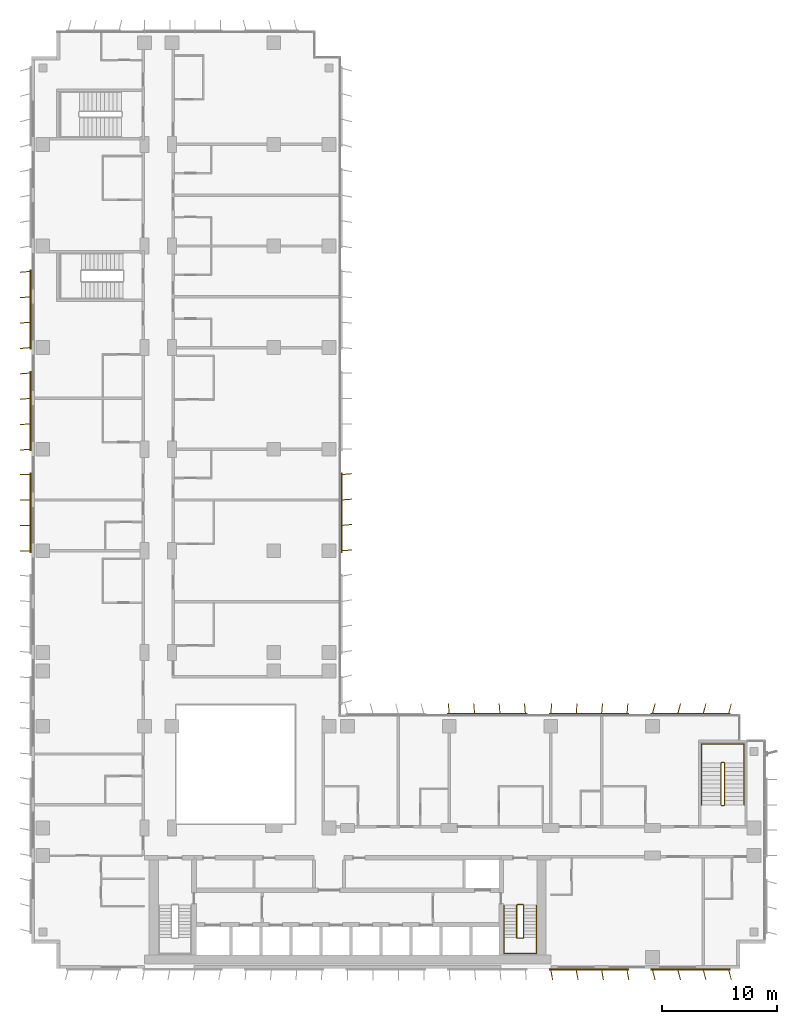
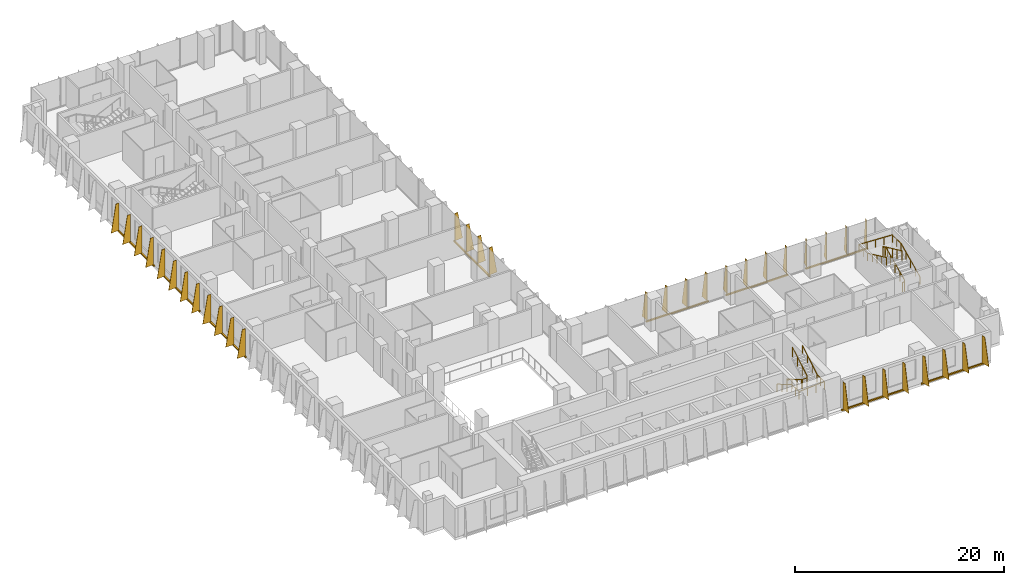
# One storey, part 20 of 22: 9 shading devices, 4 railings.
"""IFC4 building model written with IfcOpenShell, lengths in metres."""

from ifc_helpers import new_model, si_unit, direction, frame, origin, origin_2d, place, context, subcontext, project, spatial, polyline, rectangle, circle, outline, extrude, source, transform, mapped, material, layer, layer_set, type_object, element, save


model = new_model("IFC4")

# Units and contexts
model_context = context("Model", 3, precision=1e-05, world=origin(), true_north=direction((0.0, 1.0)))
body_context = subcontext(model_context, "Body", "Model", "MODEL_VIEW")
ifc_project = project(units=[si_unit("LENGTHUNIT", "METRE"), si_unit("AREAUNIT", "SQUARE_METRE"), si_unit("VOLUMEUNIT", "CUBIC_METRE"), si_unit("PLANEANGLEUNIT", "RADIAN"), si_unit("MASSUNIT", "GRAM", prefix="KILO")], contexts=[model_context])

# Site, building, storey
site_placement = place(None, origin())
site = spatial("IfcSite", under=ifc_project, at=site_placement, CompositionType="ELEMENT")
building_placement = place(site_placement, origin())
building = spatial("IfcBuilding", under=site, at=building_placement, Name="Kemantara Hotel Tower", CompositionType="ELEMENT")
storey_placement = place(building_placement, frame((0.0, 0.0, 94.5)))
storey = spatial("IfcBuildingStorey", under=building, at=storey_placement, Name="L22", CompositionType="ELEMENT", Elevation=94.5)

# Railings
ifc_material_1 = material(Name="Stainless steel balustrade", Category="steel")
railing_type_1 = type_object("IfcRailingType", Name="Stair guard 1100 mm", PredefinedType="GUARDRAIL", material=ifc_material_1)
railing_1_placement = place(storey_placement, frame((42.64990234375, 5.5, 3.699951171875)))
element("IfcRailing", 1, at=railing_1_placement, inside=storey, type_object=railing_type_1, Name="L22 ST2 stair guard 1", PredefinedType="GUARDRAIL", context=body_context, shape_type="SweptSolid", body=[
    extrude(circle(Radius=0.02392578125, at=origin_2d()), frame((0.0, 0.0, 1.076171875), z_axis=(0.0, -0.857242210791, -0.514913383045), x_axis=(1.0, 0.0, 0.0)), (0.0, 0.0, 1.0), 3.266357421875),
    extrude(circle(Radius=0.02392578125, at=origin_2d()), frame((0.0, -2.800048828125, -0.60595703125), z_axis=(-0.273343290215, -0.274683208305, -0.921863645432), x_axis=(0.708833529934, -0.705375805398, 0.0)), (0.0, 0.0, 1.0), 0.18212890625),
    extrude(circle(Radius=0.02392578125, at=origin_2d()), frame((-0.0498046875, -2.85009765625, -0.77392578125), z_axis=(-1.0, 0.0, 0.0), x_axis=(0.0, -1.0, 0.0)), (0.0, 0.0, 1.0), 0.5),
    extrude(circle(Radius=0.02392578125, at=origin_2d()), frame((-0.5498046875, -2.85009765625, -0.77392578125), z_axis=(-0.707106781187, 0.707106781187, 0.0), x_axis=(-0.707106781187, -0.707106781187, 0.0)), (0.0, 0.0, 1.0), 0.07080078125),
    extrude(circle(Radius=0.02392578125, at=origin_2d()), frame((-0.599853515625, -2.800048828125, -0.77392578125), z_axis=(0.0, 0.857242210791, -0.514913383045), x_axis=(-1.0, 0.0, 0.0)), (0.0, 0.0, 1.0), 3.266357421875),
    extrude(circle(Radius=0.02392578125, at=origin_2d()), frame((-0.599853515625, 0.0, -2.45556640625), z_axis=(0.274243871929, 0.274243871929, -0.92172696468), x_axis=(-0.707106781187, 0.707106781187, 0.0)), (0.0, 0.0, 1.0), 0.1826171875),
    extrude(circle(Radius=0.02392578125, at=origin_2d()), frame((-0.5498046875, 0.050048828125, -2.6240234375), z_axis=(1.0, 0.0, 0.0), x_axis=(0.0, 1.0, 0.0)), (0.0, 0.0, 1.0), 0.5),
    extrude(circle(Radius=0.02099609375, at=origin_2d()), origin(), (0.0, 0.0, 1.0), 1.052001953125),
    extrude(circle(Radius=0.02099609375, at=origin_2d()), frame((0.0, -0.933349609375, -0.560546875)), (0.0, 0.0, 1.0), 1.052001953125),
    extrude(circle(Radius=0.02099609375, at=origin_2d()), frame((0.0, -1.86669921875, -1.121337890625)), (0.0, 0.0, 1.0), 1.052001953125),
    extrude(circle(Radius=0.02099609375, at=origin_2d()), frame((0.0, -2.800048828125, -1.681884765625)), (0.0, 0.0, 1.0), 1.052001953125),
    extrude(circle(Radius=0.02099609375, at=origin_2d()), frame((-0.0498046875, -2.85009765625, -1.849853515625)), (0.0, 0.0, 1.0), 1.052001953125),
    extrude(circle(Radius=0.02099609375, at=origin_2d()), frame((-0.5498046875, -2.85009765625, -1.849853515625)), (0.0, 0.0, 1.0), 1.052001953125),
    extrude(circle(Radius=0.02099609375, at=origin_2d()), frame((-0.599853515625, -2.800048828125, -1.849853515625)), (0.0, 0.0, 1.0), 1.052001953125),
    extrude(circle(Radius=0.02099609375, at=origin_2d()), frame((-0.599853515625, -1.86669921875, -2.410400390625)), (0.0, 0.0, 1.0), 1.052001953125),
    extrude(circle(Radius=0.02099609375, at=origin_2d()), frame((-0.599853515625, -0.933349609375, -2.97119140625)), (0.0, 0.0, 1.0), 1.052001953125),
    extrude(circle(Radius=0.02099609375, at=origin_2d()), frame((-0.599853515625, 0.0, -3.53173828125)), (0.0, 0.0, 1.0), 1.052001953125),
    extrude(circle(Radius=0.02099609375, at=origin_2d()), frame((-0.5498046875, 0.050048828125, -3.699951171875)), (0.0, 0.0, 1.0), 1.052001953125),
    extrude(circle(Radius=0.02099609375, at=origin_2d()), frame((-0.0498046875, 0.050048828125, -3.699951171875)), (0.0, 0.0, 1.0), 1.052001953125),
])
railing_2_placement = place(storey_placement, frame((59.75, 14.199951171875, 3.699951171875)))
element("IfcRailing", 2, at=railing_2_placement, inside=storey, type_object=railing_type_1, Name="L22 ST3 stair guard 1", PredefinedType="GUARDRAIL", context=body_context, shape_type="SweptSolid", body=[
    extrude(circle(Radius=0.02392578125, at=origin_2d()), frame((0.0, 0.0, 1.076171875), z_axis=(0.0, 0.906005689286, -0.423265508849), x_axis=(-1.0, 0.0, 0.0)), (0.0, 0.0, 1.0), 3.9736328125),
    extrude(circle(Radius=0.02392578125, at=origin_2d()), frame((0.0, 3.60009765625, -0.60595703125), z_axis=(0.274582412415, 0.274582412415, -0.921525364591), x_axis=(-0.707106781187, 0.707106781187, 0.0)), (0.0, 0.0, 1.0), 0.182373046875),
    extrude(circle(Radius=0.02392578125, at=origin_2d()), frame((0.050048828125, 3.650146484375, -0.77392578125), z_axis=(1.0, 0.0, 0.0), x_axis=(0.0, 1.0, 0.0)), (0.0, 0.0, 1.0), 0.199951171875),
    extrude(circle(Radius=0.02392578125, at=origin_2d()), frame((0.25, 3.650146484375, -0.77392578125), z_axis=(0.707106781187, -0.707106781187, 0.0), x_axis=(0.707106781187, 0.707106781187, 0.0)), (0.0, 0.0, 1.0), 0.07080078125),
    extrude(circle(Radius=0.02392578125, at=origin_2d()), frame((0.300048828125, 3.60009765625, -0.77392578125), z_axis=(0.0, -0.906005689286, -0.423265508849), x_axis=(1.0, 0.0, 0.0)), (0.0, 0.0, 1.0), 3.9736328125),
    extrude(circle(Radius=0.02392578125, at=origin_2d()), frame((0.300048828125, 0.0, -2.45556640625), z_axis=(-0.274243871929, -0.274243871929, -0.92172696468), x_axis=(0.707106781187, -0.707106781187, 0.0)), (0.0, 0.0, 1.0), 0.1826171875),
    extrude(circle(Radius=0.02392578125, at=origin_2d()), frame((0.25, -0.050048828125, -2.6240234375), z_axis=(-1.0, 0.0, 0.0), x_axis=(0.0, -1.0, 0.0)), (0.0, 0.0, 1.0), 0.199951171875),
    extrude(circle(Radius=0.02099609375, at=origin_2d()), origin(), (0.0, 0.0, 1.0), 1.052001953125),
    extrude(circle(Radius=0.02099609375, at=origin_2d()), frame((0.0, 0.89990234375, -0.42041015625)), (0.0, 0.0, 1.0), 1.052001953125),
    extrude(circle(Radius=0.02099609375, at=origin_2d()), frame((0.0, 1.800048828125, -0.8408203125)), (0.0, 0.0, 1.0), 1.052001953125),
    extrude(circle(Radius=0.02099609375, at=origin_2d()), frame((0.0, 2.7001953125, -1.261474609375)), (0.0, 0.0, 1.0), 1.052001953125),
    extrude(circle(Radius=0.02099609375, at=origin_2d()), frame((0.0, 3.60009765625, -1.681884765625)), (0.0, 0.0, 1.0), 1.052001953125),
    extrude(circle(Radius=0.02099609375, at=origin_2d()), frame((0.050048828125, 3.650146484375, -1.849853515625)), (0.0, 0.0, 1.0), 1.052001953125),
    extrude(circle(Radius=0.02099609375, at=origin_2d()), frame((0.25, 3.650146484375, -1.849853515625)), (0.0, 0.0, 1.0), 1.052001953125),
    extrude(circle(Radius=0.02099609375, at=origin_2d()), frame((0.300048828125, 3.60009765625, -1.849853515625)), (0.0, 0.0, 1.0), 1.052001953125),
    extrude(circle(Radius=0.02099609375, at=origin_2d()), frame((0.300048828125, 2.7001953125, -2.270263671875)), (0.0, 0.0, 1.0), 1.052001953125),
    extrude(circle(Radius=0.02099609375, at=origin_2d()), frame((0.300048828125, 1.800048828125, -2.69091796875)), (0.0, 0.0, 1.0), 1.052001953125),
    extrude(circle(Radius=0.02099609375, at=origin_2d()), frame((0.300048828125, 0.89990234375, -3.111328125)), (0.0, 0.0, 1.0), 1.052001953125),
    extrude(circle(Radius=0.02099609375, at=origin_2d()), frame((0.300048828125, 0.0, -3.53173828125)), (0.0, 0.0, 1.0), 1.052001953125),
    extrude(circle(Radius=0.02099609375, at=origin_2d()), frame((0.25, -0.050048828125, -3.699951171875)), (0.0, 0.0, 1.0), 1.052001953125),
    extrude(circle(Radius=0.02099609375, at=origin_2d()), frame((0.050048828125, -0.050048828125, -3.699951171875)), (0.0, 0.0, 1.0), 1.052001953125),
])
railing_type_2 = type_object("IfcRailingType", Name="Stair handrail 900 mm", PredefinedType="HANDRAIL", material=ifc_material_1)
railing_3_placement = place(storey_placement, frame((40.949951171875, 5.5, 0.168212890625)))
element("IfcRailing", 3, at=railing_3_placement, inside=storey, type_object=railing_type_2, Name="L22 ST2 stair handrail 1", PredefinedType="HANDRAIL", context=body_context, shape_type="SweptSolid", body=[
    extrude(circle(Radius=0.02392578125, at=origin_2d()), frame((0.0, 0.0, 0.8759765625), z_axis=(0.0, -0.857242210791, 0.514913383045), x_axis=(1.0, 0.0, 0.0)), (0.0, 0.0, 1.0), 3.266357421875),
    extrude(circle(Radius=0.02392578125, at=origin_2d()), frame((0.0, -2.800048828125, 2.5576171875), z_axis=(0.0, -1.0, 0.0), x_axis=(1.0, 0.0, 0.0)), (0.0, 0.0, 1.0), 1.3798828125),
    extrude(circle(Radius=0.02392578125, at=origin_2d()), frame((0.0, -4.179931640625, 2.5576171875), z_axis=(0.998205573864, 0.0, 0.059880149518), x_axis=(0.0, 1.0, 0.0)), (0.0, 0.0, 1.0), 2.80517578125),
    extrude(circle(Radius=0.02392578125, at=origin_2d()), frame((2.800048828125, -4.179931640625, 2.7255859375), z_axis=(0.0, 1.0, 0.0), x_axis=(-1.0, 0.0, 0.0)), (0.0, 0.0, 1.0), 1.3798828125),
    extrude(circle(Radius=0.02392578125, at=origin_2d()), frame((2.800048828125, -2.800048828125, 2.7255859375), z_axis=(0.0, 0.857242210791, 0.514913383045), x_axis=(-1.0, 0.0, 0.0)), (0.0, 0.0, 1.0), 3.266357421875),
    extrude(circle(Radius=0.02099609375, at=origin_2d()), origin(), (0.0, 0.0, 1.0), 0.851806640625),
    extrude(circle(Radius=0.02099609375, at=origin_2d()), frame((0.0, -0.933349609375, 0.560546875)), (0.0, 0.0, 1.0), 0.851806640625),
    extrude(circle(Radius=0.02099609375, at=origin_2d()), frame((0.0, -1.86669921875, 1.121337890625)), (0.0, 0.0, 1.0), 0.851806640625),
    extrude(circle(Radius=0.02099609375, at=origin_2d()), frame((0.0, -2.800048828125, 1.681884765625)), (0.0, 0.0, 1.0), 0.851806640625),
    extrude(circle(Radius=0.02099609375, at=origin_2d()), frame((0.0, -3.489990234375, 1.681884765625)), (0.0, 0.0, 1.0), 0.851806640625),
    extrude(circle(Radius=0.02099609375, at=origin_2d()), frame((0.0, -4.179931640625, 1.681884765625)), (0.0, 0.0, 1.0), 0.851806640625),
    extrude(circle(Radius=0.02099609375, at=origin_2d()), frame((0.933349609375, -4.179931640625, 1.73779296875)), (0.0, 0.0, 1.0), 0.851806640625),
    extrude(circle(Radius=0.02099609375, at=origin_2d()), frame((1.86669921875, -4.179931640625, 1.7939453125)), (0.0, 0.0, 1.0), 0.851806640625),
    extrude(circle(Radius=0.02099609375, at=origin_2d()), frame((2.800048828125, -4.179931640625, 1.849853515625)), (0.0, 0.0, 1.0), 0.851806640625),
    extrude(circle(Radius=0.02099609375, at=origin_2d()), frame((2.800048828125, -3.489990234375, 1.849853515625)), (0.0, 0.0, 1.0), 0.851806640625),
    extrude(circle(Radius=0.02099609375, at=origin_2d()), frame((2.800048828125, -2.800048828125, 1.849853515625)), (0.0, 0.0, 1.0), 0.851806640625),
    extrude(circle(Radius=0.02099609375, at=origin_2d()), frame((2.800048828125, -1.86669921875, 2.410400390625)), (0.0, 0.0, 1.0), 0.851806640625),
    extrude(circle(Radius=0.02099609375, at=origin_2d()), frame((2.800048828125, -0.933349609375, 2.97119140625)), (0.0, 0.0, 1.0), 0.851806640625),
    extrude(circle(Radius=0.02099609375, at=origin_2d()), frame((2.800048828125, 0.0, 3.53173828125)), (0.0, 0.0, 1.0), 0.851806640625),
])
railing_4_placement = place(storey_placement, frame((61.75, 14.199951171875, 0.168212890625)))
element("IfcRailing", 4, at=railing_4_placement, inside=storey, type_object=railing_type_2, Name="L22 ST3 stair handrail 1", PredefinedType="HANDRAIL", context=body_context, shape_type="SweptSolid", body=[
    extrude(circle(Radius=0.02392578125, at=origin_2d()), frame((0.0, 0.0, 0.8759765625), z_axis=(0.0, 0.906005689286, 0.423265508849), x_axis=(-1.0, 0.0, 0.0)), (0.0, 0.0, 1.0), 3.9736328125),
    extrude(circle(Radius=0.02392578125, at=origin_2d()), frame((0.0, 3.60009765625, 2.5576171875), z_axis=(0.0, 1.0, 0.0), x_axis=(-1.0, 0.0, 0.0)), (0.0, 0.0, 1.0), 1.679931640625),
    extrude(circle(Radius=0.02392578125, at=origin_2d()), frame((0.0, 5.280029296875, 2.5576171875), z_axis=(-0.998971120908, 0.0, 0.045350849963), x_axis=(0.0, -1.0, 0.0)), (0.0, 0.0, 1.0), 3.703857421875),
    extrude(circle(Radius=0.02392578125, at=origin_2d()), frame((-3.699951171875, 5.280029296875, 2.7255859375), z_axis=(0.0, -1.0, 0.0), x_axis=(1.0, 0.0, 0.0)), (0.0, 0.0, 1.0), 1.679931640625),
    extrude(circle(Radius=0.02392578125, at=origin_2d()), frame((-3.699951171875, 3.60009765625, 2.7255859375), z_axis=(0.0, -0.906005689286, 0.423265508849), x_axis=(1.0, 0.0, 0.0)), (0.0, 0.0, 1.0), 3.9736328125),
    extrude(circle(Radius=0.02099609375, at=origin_2d()), origin(), (0.0, 0.0, 1.0), 0.851806640625),
    extrude(circle(Radius=0.02099609375, at=origin_2d()), frame((0.0, 0.89990234375, 0.42041015625)), (0.0, 0.0, 1.0), 0.851806640625),
    extrude(circle(Radius=0.02099609375, at=origin_2d()), frame((0.0, 1.800048828125, 0.8408203125)), (0.0, 0.0, 1.0), 0.851806640625),
    extrude(circle(Radius=0.02099609375, at=origin_2d()), frame((0.0, 2.7001953125, 1.261474609375)), (0.0, 0.0, 1.0), 0.851806640625),
    extrude(circle(Radius=0.02099609375, at=origin_2d()), frame((0.0, 3.60009765625, 1.681884765625)), (0.0, 0.0, 1.0), 0.851806640625),
    extrude(circle(Radius=0.02099609375, at=origin_2d()), frame((0.0, 4.43994140625, 1.681884765625)), (0.0, 0.0, 1.0), 0.851806640625),
    extrude(circle(Radius=0.02099609375, at=origin_2d()), frame((0.0, 5.280029296875, 1.681884765625)), (0.0, 0.0, 1.0), 0.851806640625),
    extrude(circle(Radius=0.02099609375, at=origin_2d()), frame((-0.925048828125, 5.280029296875, 1.723876953125)), (0.0, 0.0, 1.0), 0.851806640625),
    extrude(circle(Radius=0.02099609375, at=origin_2d()), frame((-1.85009765625, 5.280029296875, 1.765869140625)), (0.0, 0.0, 1.0), 0.851806640625),
    extrude(circle(Radius=0.02099609375, at=origin_2d()), frame((-2.77490234375, 5.280029296875, 1.807861328125)), (0.0, 0.0, 1.0), 0.851806640625),
    extrude(circle(Radius=0.02099609375, at=origin_2d()), frame((-3.699951171875, 5.280029296875, 1.849853515625)), (0.0, 0.0, 1.0), 0.851806640625),
    extrude(circle(Radius=0.02099609375, at=origin_2d()), frame((-3.699951171875, 4.43994140625, 1.849853515625)), (0.0, 0.0, 1.0), 0.851806640625),
    extrude(circle(Radius=0.02099609375, at=origin_2d()), frame((-3.699951171875, 3.60009765625, 1.849853515625)), (0.0, 0.0, 1.0), 0.851806640625),
    extrude(circle(Radius=0.02099609375, at=origin_2d()), frame((-3.699951171875, 2.7001953125, 2.270263671875)), (0.0, 0.0, 1.0), 0.851806640625),
    extrude(circle(Radius=0.02099609375, at=origin_2d()), frame((-3.699951171875, 1.800048828125, 2.69091796875)), (0.0, 0.0, 1.0), 0.851806640625),
    extrude(circle(Radius=0.02099609375, at=origin_2d()), frame((-3.699951171875, 0.89990234375, 3.111328125)), (0.0, 0.0, 1.0), 0.851806640625),
    extrude(circle(Radius=0.02099609375, at=origin_2d()), frame((-3.699951171875, 0.0, 3.53173828125)), (0.0, 0.0, 1.0), 0.851806640625),
])

# Shading devices
ifc_material_2 = material(Name="Perforated aluminium plate 4 mm bronze anodised", Category="aluminium")
ifc_layer_1 = layer(ifc_material_2, 0.0400390625)
ifc_layer_set_1 = layer_set([ifc_layer_1], Name="Perforated aluminium plate 4 mm bronze anodised")
shading_device_type_1 = type_object("IfcShadingDeviceType", Name="SCREEN FIN CASSETTE, 4 BLADES AT -5.0 DEG, 3200 HIGH", PredefinedType="USERDEFINED", material=ifc_layer_set_1)
shared_shape_1 = source(origin(), body_context, "Body", "SweptSolid", [
    extrude(rectangle(XDim=6.89990234375, YDim=0.14990234375, at=origin_2d()), frame((3.300048828125, -0.074951171875, -0.14990234375), z_axis=(0.0, 0.0, 1.0), x_axis=(1.0, 0.0, 0.0)), (0.0, 0.0, 1.0), 0.14990234375),
    extrude(outline(polyline([(0.0, 0.0), (0.89990234375, 0.0), (0.35009765625, 3.199951171875), (0.0, 3.199951171875), (0.0, 0.0)])), frame((0.02001953125, -0.07666015625, 0.0), z_axis=(-0.996376129781, 0.085056498884, 0.0), x_axis=(-0.085056498884, -0.996376129781, 0.0)), (0.0, 0.0, 1.0), 0.040283203125),
    extrude(outline(polyline([(0.0, 0.0), (0.89990234375, 0.0), (0.35009765625, 3.199951171875), (0.0, 3.199951171875), (0.0, 0.0)])), frame((2.219970703125, -0.07666015625, 0.0), z_axis=(-0.996331773833, 0.085574508182, 0.0), x_axis=(-0.085574508182, -0.996331773833, 0.0)), (0.0, 0.0, 1.0), 0.0400390625),
    extrude(outline(polyline([(0.0, 0.0), (0.89990234375, 0.0), (0.35009765625, 3.199951171875), (0.0, 3.199951171875), (0.0, 0.0)])), frame((4.419921875, -0.07666015625, 0.0), z_axis=(-0.996331773833, 0.085574508182, 0.0), x_axis=(-0.085574508182, -0.996331773833, 0.0)), (0.0, 0.0, 1.0), 0.0400390625),
    extrude(outline(polyline([(0.0, 0.0), (0.89990234375, 0.0), (0.35009765625, 3.199951171875), (0.0, 3.199951171875), (0.0, 0.0)])), frame((6.619873046875, -0.07666015625, 0.0), z_axis=(-0.996331773833, 0.085574508182, 0.0), x_axis=(-0.085574508182, -0.996331773833, 0.0)), (0.0, 0.0, 1.0), 0.0400390625),
])
shading_device_1_placement = place(storey_placement, frame((51.60009765625, 22.0, 0.10009765625), z_axis=(0.0, 0.0, 1.0), x_axis=(-1.0, 0.0, 0.0)))
element("IfcShadingDevice", 5, at=shading_device_1_placement, inside=storey, type_object=shading_device_type_1, Name="SCREEN FIN CASSETTE L22 T2-R13-2", ObjectType="SCREEN FIN", PredefinedType="USERDEFINED", context=body_context, shape_type="MappedRepresentation", body=[
    mapped(shared_shape_1, transform((0.0, 0.0, 0.0))),
])
ifc_layer_2 = layer(ifc_material_2, 0.0400390625)
ifc_layer_set_2 = layer_set([ifc_layer_2], Name="Perforated aluminium plate 4 mm bronze anodised")
shading_device_type_2 = type_object("IfcShadingDeviceType", Name="SCREEN FIN CASSETTE, 4 BLADES AT +0.0 DEG, 3200 HIGH", PredefinedType="USERDEFINED", material=ifc_layer_set_2)
shared_shape_2 = source(origin(), body_context, "Body", "SweptSolid", [
    extrude(rectangle(XDim=6.89990234375, YDim=0.14990234375, at=origin_2d()), frame((3.300048828125, -0.074951171875, -0.14990234375), z_axis=(0.0, 0.0, 1.0), x_axis=(1.0, 0.0, 0.0)), (0.0, 0.0, 1.0), 0.14990234375),
    extrude(outline(polyline([(0.0, 0.0), (0.89990234375, 0.0), (0.35009765625, 3.199951171875), (0.0, 3.199951171875), (0.0, 0.0)])), frame((0.02001953125, -0.074951171875, 0.0), z_axis=(-1.0, 0.0, 0.0), x_axis=(0.0, -1.0, 0.0)), (0.0, 0.0, 1.0), 0.0400390625),
    extrude(outline(polyline([(0.0, 0.0), (0.89990234375, 0.0), (0.35009765625, 3.199951171875), (0.0, 3.199951171875), (0.0, 0.0)])), frame((2.219970703125, -0.074951171875, 0.0), z_axis=(-1.0, 0.0, 0.0), x_axis=(0.0, -1.0, 0.0)), (0.0, 0.0, 1.0), 0.0400390625),
    extrude(outline(polyline([(0.0, 0.0), (0.89990234375, 0.0), (0.35009765625, 3.199951171875), (0.0, 3.199951171875), (0.0, 0.0)])), frame((4.419921875, -0.074951171875, 0.0), z_axis=(-1.0, 0.0, 0.0), x_axis=(0.0, -1.0, 0.0)), (0.0, 0.0, 1.0), 0.0400390625),
    extrude(outline(polyline([(0.0, 0.0), (0.89990234375, 0.0), (0.35009765625, 3.199951171875), (0.0, 3.199951171875), (0.0, 0.0)])), frame((6.6201171875, -0.074951171875, 0.0), z_axis=(-1.0, 0.0, 0.0), x_axis=(0.0, -1.0, 0.0)), (0.0, 0.0, 1.0), 0.0400390625),
])
shading_device_2_placement = place(storey_placement, frame((0.0, 42.800048828125, 0.10009765625), z_axis=(0.0, 0.0, 1.0), x_axis=(0.0, -1.0, 0.0)))
element("IfcShadingDevice", 6, at=shading_device_2_placement, inside=storey, type_object=shading_device_type_2, Name="SCREEN FIN CASSETTE L22 T2-R04-5", ObjectType="SCREEN FIN", PredefinedType="USERDEFINED", context=body_context, shape_type="MappedRepresentation", body=[
    mapped(shared_shape_2, transform((0.0, 0.0, 0.0))),
])
ifc_layer_3 = layer(ifc_material_2, 0.0400390625)
ifc_layer_set_3 = layer_set([ifc_layer_3], Name="Perforated aluminium plate 4 mm bronze anodised")
shading_device_type_3 = type_object("IfcShadingDeviceType", Name="SCREEN FIN CASSETTE, 4 BLADES AT +5.0 DEG, 3200 HIGH", PredefinedType="USERDEFINED", material=ifc_layer_set_3)
shared_shape_3 = source(origin(), body_context, "Body", "SweptSolid", [
    extrude(rectangle(XDim=6.89990234375, YDim=0.14990234375, at=origin_2d()), frame((3.300048828125, -0.074951171875, -0.14990234375), z_axis=(0.0, 0.0, 1.0), x_axis=(1.0, 0.0, 0.0)), (0.0, 0.0, 1.0), 0.14990234375),
    extrude(outline(polyline([(0.0, 0.0), (0.89990234375, 0.0), (0.35009765625, 3.199951171875), (0.0, 3.199951171875), (0.0, 0.0)])), frame((0.02001953125, -0.0732421875, 0.0), z_axis=(-0.996376129781, -0.085056498884, 0.0), x_axis=(0.085056498884, -0.996376129781, 0.0)), (0.0, 0.0, 1.0), 0.040283203125),
    extrude(outline(polyline([(0.0, 0.0), (0.89990234375, 0.0), (0.35009765625, 3.199951171875), (0.0, 3.199951171875), (0.0, 0.0)])), frame((2.219970703125, -0.0732421875, 0.0), z_axis=(-0.996331773833, -0.085574508182, 0.0), x_axis=(0.085574508182, -0.996331773833, 0.0)), (0.0, 0.0, 1.0), 0.0400390625),
    extrude(outline(polyline([(0.0, 0.0), (0.89990234375, 0.0), (0.35009765625, 3.199951171875), (0.0, 3.199951171875), (0.0, 0.0)])), frame((4.419921875, -0.0732421875, 0.0), z_axis=(-0.996331773833, -0.085574508182, 0.0), x_axis=(0.085574508182, -0.996331773833, 0.0)), (0.0, 0.0, 1.0), 0.0400390625),
    extrude(outline(polyline([(0.0, 0.0), (0.89990234375, 0.0), (0.35009765625, 3.199951171875), (0.0, 3.199951171875), (0.0, 0.0)])), frame((6.619873046875, -0.0732421875, 0.0), z_axis=(-0.996331773833, -0.085574508182, 0.0), x_axis=(0.085574508182, -0.996331773833, 0.0)), (0.0, 0.0, 1.0), 0.0400390625),
])
for number, where, z_axis, x_axis, name in (
    (7, (0.0, 60.39990234375, 0.10009765625), (0.0, 0.0, 1.0), (0.0, -1.0, 0.0), "SCREEN FIN CASSETTE L22 T2-R04-3"),
    (8, (0.0, 51.60009765625, 0.10009765625), (0.0, 0.0, 1.0), (0.0, -1.0, 0.0), "SCREEN FIN CASSETTE L22 T2-R04-4"),
    (9, (42.800048828125, 22.0, 0.10009765625), (0.0, 0.0, 1.0), (-1.0, 0.0, 0.0), "SCREEN FIN CASSETTE L22 T2-R13-3"),
    (10, (26.800048828125, 36.199951171875, 0.10009765625), (0.0, 0.0, 1.0), (0.0, 1.0, 0.0), "SCREEN FIN CASSETTE L22 T2-R14-3"),
):
    element("IfcShadingDevice", number, at=place(storey_placement, frame(where, z_axis=z_axis, x_axis=x_axis)), inside=storey, type_object=shading_device_type_3, Name=name, ObjectType="SCREEN FIN", PredefinedType="USERDEFINED", context=body_context, shape_type="MappedRepresentation", body=[
        mapped(shared_shape_3, transform((0.0, 0.0, 0.0))),
    ])
ifc_layer_4 = layer(ifc_material_2, 0.0400390625)
ifc_layer_set_4 = layer_set([ifc_layer_4], Name="Perforated aluminium plate 4 mm bronze anodised")
shading_device_type_4 = type_object("IfcShadingDeviceType", Name="SCREEN FIN CASSETTE, 4 BLADES AT +10.0 DEG, 3200 HIGH", PredefinedType="USERDEFINED", material=ifc_layer_set_4)
shared_shape_4 = source(origin(), body_context, "Body", "SweptSolid", [
    extrude(rectangle(XDim=6.89990234375, YDim=0.14990234375, at=origin_2d()), frame((3.300048828125, -0.074951171875, -0.14990234375), z_axis=(0.0, 0.0, 1.0), x_axis=(1.0, 0.0, 0.0)), (0.0, 0.0, 1.0), 0.14990234375),
    extrude(outline(polyline([(0.0, 0.0), (0.89990234375, 0.0), (0.35009765625, 3.199951171875), (0.0, 3.199951171875), (0.0, 0.0)])), frame((0.019775390625, -0.071533203125, 0.0), z_axis=(-0.985389793052, -0.170314285219, 0.0), x_axis=(0.170314285219, -0.985389793052, 0.0)), (0.0, 0.0, 1.0), 0.0400390625),
    extrude(outline(polyline([(0.0, 0.0), (0.89990234375, 0.0), (0.35009765625, 3.199951171875), (0.0, 3.199951171875), (0.0, 0.0)])), frame((2.2197265625, -0.071533203125, 0.0), z_axis=(-0.98521175482, -0.171341174751, 0.0), x_axis=(0.171341174751, -0.98521175482, 0.0)), (0.0, 0.0, 1.0), 0.039794921875),
    extrude(outline(polyline([(0.0, 0.0), (0.89990234375, 0.0), (0.35009765625, 3.199951171875), (0.0, 3.199951171875), (0.0, 0.0)])), frame((4.419677734375, -0.071533203125, 0.0), z_axis=(-0.98521175482, -0.171341174751, 0.0), x_axis=(0.171341174751, -0.98521175482, 0.0)), (0.0, 0.0, 1.0), 0.039794921875),
    extrude(outline(polyline([(0.0, 0.0), (0.89990234375, 0.0), (0.35009765625, 3.199951171875), (0.0, 3.199951171875), (0.0, 0.0)])), frame((6.61962890625, -0.071533203125, 0.0), z_axis=(-0.98521175482, -0.171341174751, 0.0), x_axis=(0.171341174751, -0.98521175482, 0.0)), (0.0, 0.0, 1.0), 0.039794921875),
])
shading_device_3_placement = place(storey_placement, frame((45.0, 0.0, 0.10009765625), z_axis=(0.0, 0.0, 1.0), x_axis=(1.0, 0.0, 0.0)))
element("IfcShadingDevice", 11, at=shading_device_3_placement, inside=storey, type_object=shading_device_type_4, Name="SCREEN FIN CASSETTE L22 T2-R07-6", ObjectType="SCREEN FIN", PredefinedType="USERDEFINED", context=body_context, shape_type="MappedRepresentation", body=[
    mapped(shared_shape_4, transform((0.0, 0.0, 0.0))),
])
ifc_layer_5 = layer(ifc_material_2, 0.0400390625)
ifc_layer_set_5 = layer_set([ifc_layer_5], Name="Perforated aluminium plate 4 mm bronze anodised")
shading_device_type_5 = type_object("IfcShadingDeviceType", Name="SCREEN FIN CASSETTE, 4 BLADES AT +15.0 DEG, 3200 HIGH", PredefinedType="USERDEFINED", material=ifc_layer_set_5)
shared_shape_5 = source(origin(), body_context, "Body", "SweptSolid", [
    extrude(rectangle(XDim=6.89990234375, YDim=0.14990234375, at=origin_2d()), frame((3.300048828125, -0.074951171875, -0.14990234375), z_axis=(0.0, 0.0, 1.0), x_axis=(1.0, 0.0, 0.0)), (0.0, 0.0, 1.0), 0.14990234375),
    extrude(outline(polyline([(0.0, 0.0), (0.89990234375, 0.0), (0.35009765625, 3.199951171875), (0.0, 3.199951171875), (0.0, 0.0)])), frame((0.019287109375, -0.06982421875, 0.0), z_axis=(-0.966437683387, -0.256901156343, 0.0), x_axis=(0.256901156343, -0.966437683387, 0.0)), (0.0, 0.0, 1.0), 0.039794921875),
    extrude(outline(polyline([(0.0, 0.0), (0.89990234375, 0.0), (0.35009765625, 3.199951171875), (0.0, 3.199951171875), (0.0, 0.0)])), frame((2.21923828125, -0.06982421875, 0.0), z_axis=(-0.966437683387, -0.256901156343, 0.0), x_axis=(0.256901156343, -0.966437683387, 0.0)), (0.0, 0.0, 1.0), 0.039794921875),
    extrude(outline(polyline([(0.0, 0.0), (0.89990234375, 0.0), (0.35009765625, 3.199951171875), (0.0, 3.199951171875), (0.0, 0.0)])), frame((4.41943359375, -0.06982421875, 0.0), z_axis=(-0.966837822169, -0.255391122837, 0.0), x_axis=(0.255391122837, -0.966837822169, 0.0)), (0.0, 0.0, 1.0), 0.0400390625),
    extrude(outline(polyline([(0.0, 0.0), (0.89990234375, 0.0), (0.35009765625, 3.199951171875), (0.0, 3.199951171875), (0.0, 0.0)])), frame((6.619384765625, -0.06982421875, 0.0), z_axis=(-0.966837822169, -0.255391122837, 0.0), x_axis=(0.255391122837, -0.966837822169, 0.0)), (0.0, 0.0, 1.0), 0.0400390625),
])
shading_device_4_placement = place(storey_placement, frame((53.800048828125, 0.0, 0.10009765625), z_axis=(0.0, 0.0, 1.0), x_axis=(1.0, 0.0, 0.0)))
element("IfcShadingDevice", 12, at=shading_device_4_placement, inside=storey, type_object=shading_device_type_5, Name="SCREEN FIN CASSETTE L22 T2-R07-7", ObjectType="SCREEN FIN", PredefinedType="USERDEFINED", context=body_context, shape_type="MappedRepresentation", body=[
    mapped(shared_shape_5, transform((0.0, 0.0, 0.0))),
])
ifc_layer_6 = layer(ifc_material_2, 0.0400390625)
ifc_layer_set_6 = layer_set([ifc_layer_6], Name="Perforated aluminium plate 4 mm bronze anodised")
shading_device_type_6 = type_object("IfcShadingDeviceType", Name="SCREEN FIN CASSETTE, 4 BLADES AT -15.0 DEG, 3200 HIGH", PredefinedType="USERDEFINED", material=ifc_layer_set_6)
shared_shape_6 = source(origin(), body_context, "Body", "SweptSolid", [
    extrude(rectangle(XDim=6.89990234375, YDim=0.14990234375, at=origin_2d()), frame((3.300048828125, -0.074951171875, -0.14990234375), z_axis=(0.0, 0.0, 1.0), x_axis=(1.0, 0.0, 0.0)), (0.0, 0.0, 1.0), 0.14990234375),
    extrude(outline(polyline([(0.0, 0.0), (0.89990234375, 0.0), (0.35009765625, 3.199951171875), (0.0, 3.199951171875), (0.0, 0.0)])), frame((0.019287109375, -0.080078125, 0.0), z_axis=(-0.966437683387, 0.256901156343, 0.0), x_axis=(-0.256901156343, -0.966437683387, 0.0)), (0.0, 0.0, 1.0), 0.039794921875),
    extrude(outline(polyline([(0.0, 0.0), (0.89990234375, 0.0), (0.35009765625, 3.199951171875), (0.0, 3.199951171875), (0.0, 0.0)])), frame((2.21923828125, -0.080078125, 0.0), z_axis=(-0.966437683387, 0.256901156343, 0.0), x_axis=(-0.256901156343, -0.966437683387, 0.0)), (0.0, 0.0, 1.0), 0.039794921875),
    extrude(outline(polyline([(0.0, 0.0), (0.89990234375, 0.0), (0.35009765625, 3.199951171875), (0.0, 3.199951171875), (0.0, 0.0)])), frame((4.41943359375, -0.080078125, 0.0), z_axis=(-0.966837822169, 0.255391122837, 0.0), x_axis=(-0.255391122837, -0.966837822169, 0.0)), (0.0, 0.0, 1.0), 0.0400390625),
    extrude(outline(polyline([(0.0, 0.0), (0.89990234375, 0.0), (0.35009765625, 3.199951171875), (0.0, 3.199951171875), (0.0, 0.0)])), frame((6.619384765625, -0.080078125, 0.0), z_axis=(-0.966837822169, 0.255391122837, 0.0), x_axis=(-0.255391122837, -0.966837822169, 0.0)), (0.0, 0.0, 1.0), 0.0400390625),
])
shading_device_5_placement = place(storey_placement, frame((60.39990234375, 22.0, 0.10009765625), z_axis=(0.0, 0.0, 1.0), x_axis=(-1.0, 0.0, 0.0)))
element("IfcShadingDevice", 13, at=shading_device_5_placement, inside=storey, type_object=shading_device_type_6, Name="SCREEN FIN CASSETTE L22 T2-R13-1", ObjectType="SCREEN FIN", PredefinedType="USERDEFINED", context=body_context, shape_type="MappedRepresentation", body=[
    mapped(shared_shape_6, transform((0.0, 0.0, 0.0))),
])

save(model, "model.ifc")
